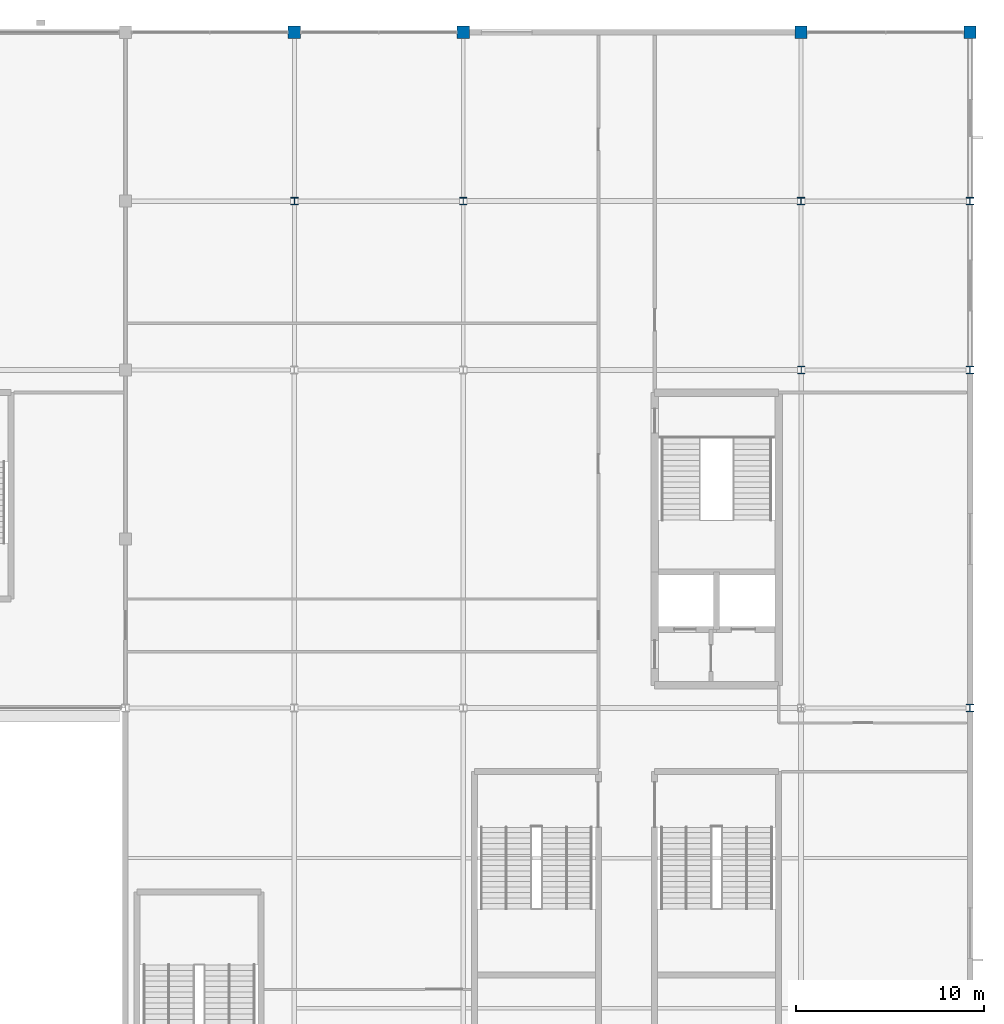
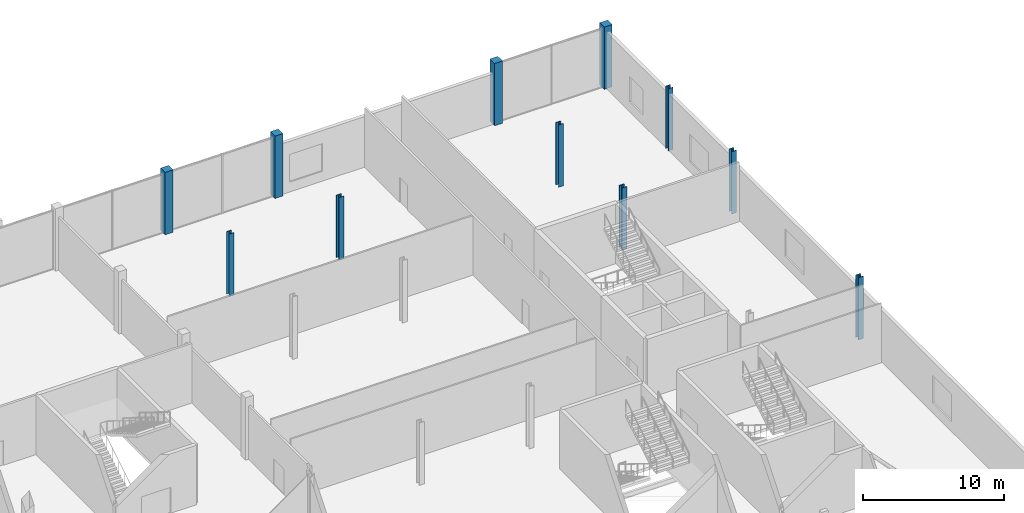
# One storey, part 11 of 111: 11 columns.
"""IFC4 building model written with IfcOpenShell, lengths in metres."""

from ifc_helpers import new_model, si_unit, direction, frame, origin, origin_2d, place, context, subcontext, project, spatial, rectangle, i_section, extrude, material, material_profile, profile_set, type_object, element, save


model = new_model("IFC4")

# Units and contexts
model_context = context("Model", 3, precision=1e-05, world=origin(), true_north=direction((0.0, 1.0)))
body_context = subcontext(model_context, "Body", "Model", "MODEL_VIEW")
ifc_project = project(units=[si_unit("LENGTHUNIT", "METRE"), si_unit("AREAUNIT", "SQUARE_METRE"), si_unit("VOLUMEUNIT", "CUBIC_METRE"), si_unit("PLANEANGLEUNIT", "RADIAN"), si_unit("MASSUNIT", "GRAM", prefix="KILO")], contexts=[model_context])

# Site, building, storey
site_placement = place(None, origin())
site = spatial("IfcSite", under=ifc_project, at=site_placement, CompositionType="ELEMENT")
building_placement = place(site_placement, origin())
building = spatial("IfcBuilding", under=site, at=building_placement, Name="Kisiwana Market Hall", CompositionType="ELEMENT")
storey_placement = place(building_placement, frame((0.0, 0.0, 11.39990234375)))
storey = spatial("IfcBuildingStorey", under=building, at=storey_placement, Name="L02", CompositionType="ELEMENT", Elevation=11.39990234375)

# Columns
ifc_material_1 = material(Name="Concrete C40/50", Category="concrete")
ifc_material_profile_1 = material_profile(ifc_material_1, rectangle(XDim=0.64990234375, YDim=0.64990234375, at=origin_2d()), Name="RC 650x650")
ifc_profile_set_1 = profile_set([ifc_material_profile_1], Name="Concrete C40/50")
column_type_1 = type_object("IfcColumnType", Name="COL-RC-POD-650", PredefinedType="COLUMN", material=ifc_profile_set_1)
for number, where, z_axis, x_axis, name in (
    (1, (162.0, 120.0, 0.0), (0.0, 0.0, 1.0), (1.0, 0.0, 0.0), "Column Q/19 (L02) C-0617"),
    (2, (171.0, 120.0, 0.0), (0.0, 0.0, 1.0), (1.0, 0.0, 0.0), "Column Q/20 (L02) C-0626"),
    (3, (189.0, 120.0, 0.0), (0.0, 0.0, 1.0), (1.0, 0.0, 0.0), "Column Q/22 (L02) C-0634"),
    (4, (198.0, 120.0, 0.0), (0.0, 0.0, 1.0), (1.0, 0.0, 0.0), "Column Q/23 (L02) C-0643"),
):
    element("IfcColumn", number, at=place(storey_placement, frame(where, z_axis=z_axis, x_axis=x_axis)), inside=storey, type_object=column_type_1, Name=name, PredefinedType="COLUMN", context=body_context, shape_type="SweptSolid", body=[
        extrude(rectangle(XDim=0.64990234375, YDim=0.64990234375, at=origin_2d()), origin(), (0.0, 0.0, 1.0), 5.400146484375),
    ])
ifc_material_2 = material(Name="Steel S355", Category="steel")
ifc_material_profile_2 = material_profile(ifc_material_2, i_section(OverallWidth=0.406005859375, OverallDepth=0.416015625, WebThickness=0.02978515625, FlangeThickness=0.048095703125, at=origin_2d()), Name="HD 400x382")
ifc_profile_set_2 = profile_set([ifc_material_profile_2], Name="Steel S355")
column_type_2 = type_object("IfcColumnType", Name="COL-STL-HD382", PredefinedType="COLUMN", material=ifc_profile_set_2)
for number, where, z_axis, x_axis, name in (
    (5, (189.0, 102.0, 0.0), (0.0, 0.0, 1.0), (1.0, 0.0, 0.0), "Column N/22 (L02) C-0632"),
    (6, (198.0, 84.0, 0.0), (0.0, 0.0, 1.0), (1.0, 0.0, 0.0), "Column L/23 (L02) C-0640"),
    (7, (198.0, 102.0, 0.0), (0.0, 0.0, 1.0), (1.0, 0.0, 0.0), "Column N/23 (L02) C-0641"),
):
    element("IfcColumn", number, at=place(storey_placement, frame(where, z_axis=z_axis, x_axis=x_axis)), inside=storey, type_object=column_type_2, Name=name, PredefinedType="COLUMN", context=body_context, shape_type="SweptSolid", body=[
        extrude(i_section(OverallWidth=0.406005859375, OverallDepth=0.416015625, WebThickness=0.02978515625, FlangeThickness=0.048095703125, at=origin_2d()), origin(), (0.0, 0.0, 1.0), 5.400146484375),
    ])
ifc_material_3 = material(Name="Steel S355", Category="steel")
ifc_material_profile_3 = material_profile(ifc_material_3, i_section(OverallWidth=0.39892578125, OverallDepth=0.3935546875, WebThickness=0.022705078125, FlangeThickness=0.03662109375, at=origin_2d()), Name="UC 356x406x287")
ifc_profile_set_3 = profile_set([ifc_material_profile_3], Name="Steel S355")
column_type_3 = type_object("IfcColumnType", Name="COL-STL-UC287", PredefinedType="COLUMN", material=ifc_profile_set_3)
for number, where, z_axis, x_axis, name in (
    (8, (162.0, 111.0, 0.0), (0.0, 0.0, 1.0), (1.0, 0.0, 0.0), "Column P/19 (L02) C-0616"),
    (9, (171.0, 111.0, 0.0), (0.0, 0.0, 1.0), (1.0, 0.0, 0.0), "Column P/20 (L02) C-0625"),
    (10, (189.0, 111.0, 0.0), (0.0, 0.0, 1.0), (1.0, 0.0, 0.0), "Column P/22 (L02) C-0633"),
    (11, (198.0, 111.0, 0.0), (0.0, 0.0, 1.0), (1.0, 0.0, 0.0), "Column P/23 (L02) C-0642"),
):
    element("IfcColumn", number, at=place(storey_placement, frame(where, z_axis=z_axis, x_axis=x_axis)), inside=storey, type_object=column_type_3, Name=name, PredefinedType="COLUMN", context=body_context, shape_type="SweptSolid", body=[
        extrude(i_section(OverallWidth=0.39892578125, OverallDepth=0.3935546875, WebThickness=0.022705078125, FlangeThickness=0.03662109375, at=origin_2d()), origin(), (0.0, 0.0, 1.0), 5.400146484375),
    ])

save(model, "model.ifc")
